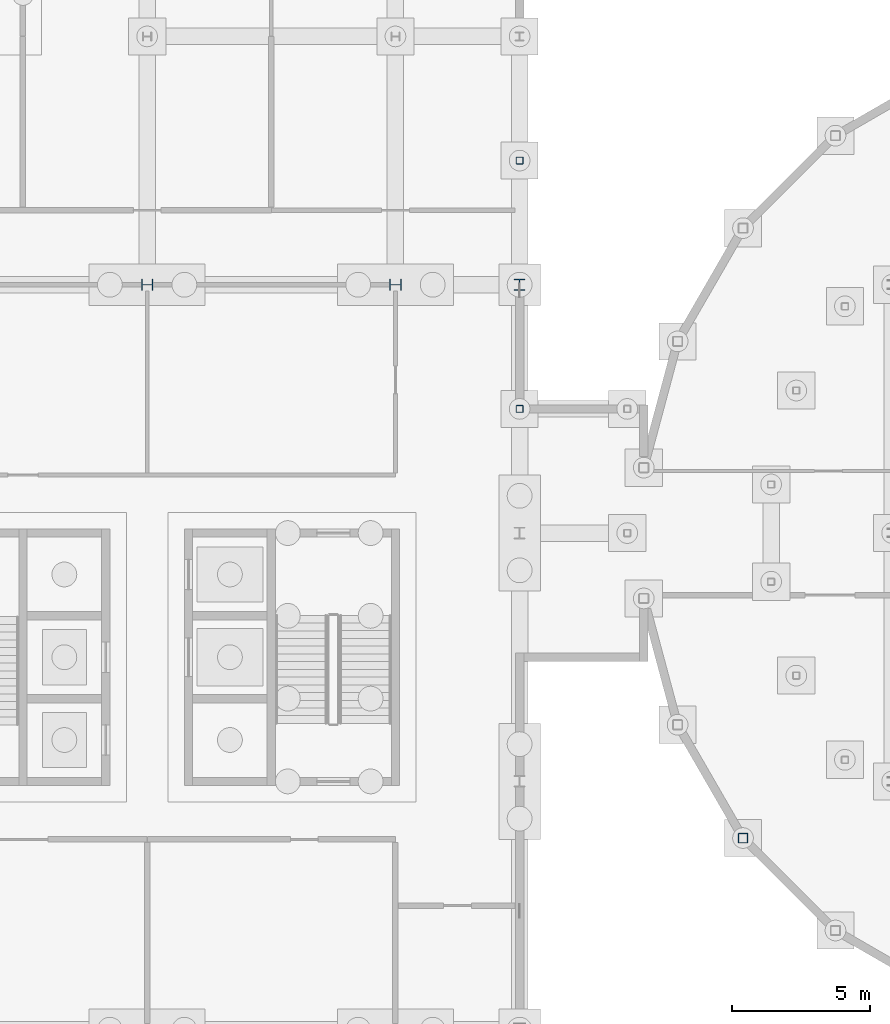
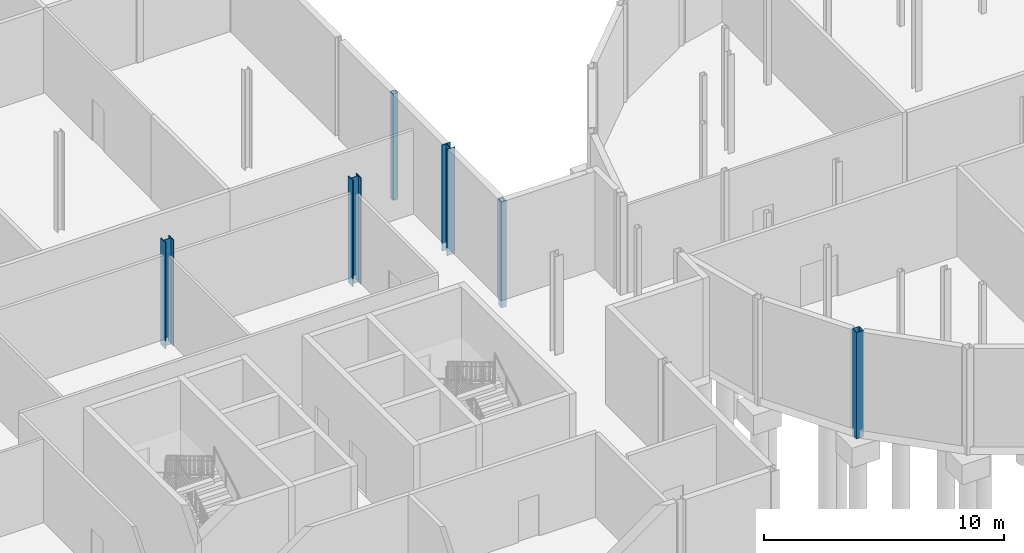
# One storey, part 6 of 25: 6 columns.
"""IFC4 building model written with IfcOpenShell, lengths in metres."""

from ifc_helpers import new_model, si_unit, direction, frame, origin, origin_2d, place, context, subcontext, project, spatial, hollow_rectangle, i_section, extrude, material, material_profile, profile_set, type_object, element, save


model = new_model("IFC4")

# Units and contexts
model_context = context("Model", 3, precision=1e-05, world=origin(), true_north=direction((0.0, 1.0)))
body_context = subcontext(model_context, "Body", "Model", "MODEL_VIEW")
ifc_project = project(units=[si_unit("LENGTHUNIT", "METRE"), si_unit("AREAUNIT", "SQUARE_METRE"), si_unit("VOLUMEUNIT", "CUBIC_METRE"), si_unit("PLANEANGLEUNIT", "RADIAN"), si_unit("MASSUNIT", "GRAM", prefix="KILO")], contexts=[model_context])

# Site, building, storey
site_placement = place(None, origin())
site = spatial("IfcSite", under=ifc_project, at=site_placement, CompositionType="ELEMENT")
building_placement = place(site_placement, origin())
building = spatial("IfcBuilding", under=site, at=building_placement, Name="Hortulan Conservatory and Botanical Research Centre", CompositionType="ELEMENT")
storey_placement = place(building_placement, frame((0.0, 0.0, -5.0)))
storey = spatial("IfcBuildingStorey", under=building, at=storey_placement, Name="B1", CompositionType="ELEMENT", Elevation=-5.0)

# Columns
ifc_material_1 = material(Name="Steel Grade C450L0 (450 MPa, AS/NZS 1163)", Category="steel")
ifc_material_profile_1 = material_profile(ifc_material_1, hollow_rectangle(XDim=0.35009765625, YDim=0.35009765625, WallThickness=0.012451171875, InnerFilletRadius=0.018798828125, OuterFilletRadius=0.03125, at=origin_2d()), Name="350x350x12.5SHS")
ifc_profile_set_1 = profile_set([ifc_material_profile_1], Name="Steel Grade C450L0 (450 MPa, AS/NZS 1163)")
column_type_1 = type_object("IfcColumnType", Name="Dome Drum Column 350x350x12.5 SHS", PredefinedType="COLUMN", material=ifc_profile_set_1)
column_placement = place(storey_placement, frame((39.596435546875, 6.94775390625, -0.39990234375), z_axis=(0.0, 0.0, 1.0), x_axis=(1.0, 0.0, 0.0)))
element("IfcColumn", 1, at=column_placement, inside=storey, type_object=column_type_1, Name="Dome drum column 15 B1", PredefinedType="COLUMN", context=body_context, shape_type="SweptSolid", body=[
    extrude(hollow_rectangle(XDim=0.35009765625, YDim=0.35009765625, WallThickness=0.012451171875, InnerFilletRadius=0.018798828125, OuterFilletRadius=0.03125, at=origin_2d()), origin(), (0.0, 0.0, 1.0), 5.39990234375),
])
ifc_material_profile_2 = material_profile(ifc_material_1, hollow_rectangle(XDim=0.25, YDim=0.25, WallThickness=0.009033203125, InnerFilletRadius=0.013427734375, OuterFilletRadius=0.0224609375, at=origin_2d()), Name="250x250x9SHS")
ifc_profile_set_2 = profile_set([ifc_material_profile_2], Name="Steel Grade C450L0 (450 MPa, AS/NZS 1163)")
column_type_2 = type_object("IfcColumnType", Name="Head Link Column 250x250x9 SHS", PredefinedType="COLUMN", material=ifc_profile_set_2)
for number, where, z_axis, x_axis, name in (
    (2, (31.5, 22.5, -0.39990234375), (0.0, 0.0, 1.0), (1.0, 0.0, 0.0), "Head link column C-31.5-22.5 B1"),
    (3, (31.5, 31.5, -0.39990234375), (0.0, 0.0, 1.0), (1.0, 0.0, 0.0), "Head link column P-31.5-31.5 B1"),
):
    element("IfcColumn", number, at=place(storey_placement, frame(where, z_axis=z_axis, x_axis=x_axis)), inside=storey, type_object=column_type_2, Name=name, PredefinedType="COLUMN", context=body_context, shape_type="SweptSolid", body=[
        extrude(hollow_rectangle(XDim=0.25, YDim=0.25, WallThickness=0.009033203125, InnerFilletRadius=0.013427734375, OuterFilletRadius=0.0224609375, at=origin_2d()), origin(), (0.0, 0.0, 1.0), 5.39990234375),
    ])
ifc_material_2 = material(Name="Steel Grade 300 (AS/NZS 3679.2, plate AS/NZS 3678, 280 MPa minimum yield)", Category="steel")
ifc_material_profile_3 = material_profile(ifc_material_2, i_section(OverallWidth=0.39990234375, OverallDepth=0.422119140625, WebThickness=0.028076171875, FlangeThickness=0.035888671875, at=origin_2d()), Name="400WC303")
ifc_profile_set_3 = profile_set([ifc_material_profile_3], Name="Steel Grade 300 (AS/NZS 3679.2, plate AS/NZS 3678, 280 MPa minimum yield)")
column_type_3 = type_object("IfcColumnType", Name="Tower Column 400WC303", PredefinedType="COLUMN", material=ifc_profile_set_3)
for number, where, z_axis, x_axis, name in (
    (4, (18.0, 27.0, -0.39990234375), (0.0, 0.0, 1.0), (0.0, 1.0, 0.0), "400WC303 column"),
    (5, (27.0, 27.0, -0.39990234375), (0.0, 0.0, 1.0), (0.0, 1.0, 0.0), "400WC303 column"),
    (6, (31.5, 27.0, -0.39990234375), (0.0, 0.0, 1.0), (1.0, 0.0, 0.0), "400WC303 column"),
):
    element("IfcColumn", number, at=place(storey_placement, frame(where, z_axis=z_axis, x_axis=x_axis)), inside=storey, type_object=column_type_3, Name=name, PredefinedType="COLUMN", context=body_context, shape_type="SweptSolid", body=[
        extrude(i_section(OverallWidth=0.39990234375, OverallDepth=0.422119140625, WebThickness=0.028076171875, FlangeThickness=0.035888671875, at=origin_2d()), origin(), (0.0, 0.0, 1.0), 5.39990234375),
    ])

save(model, "model.ifc")
